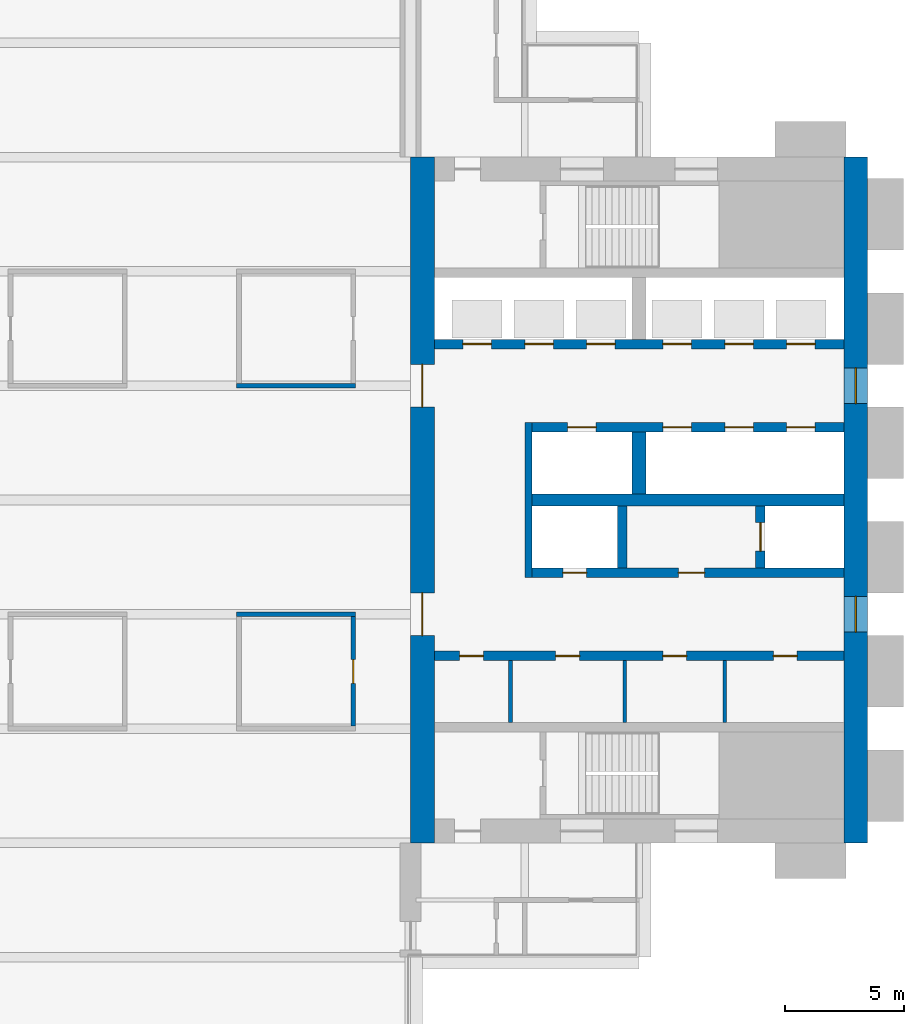
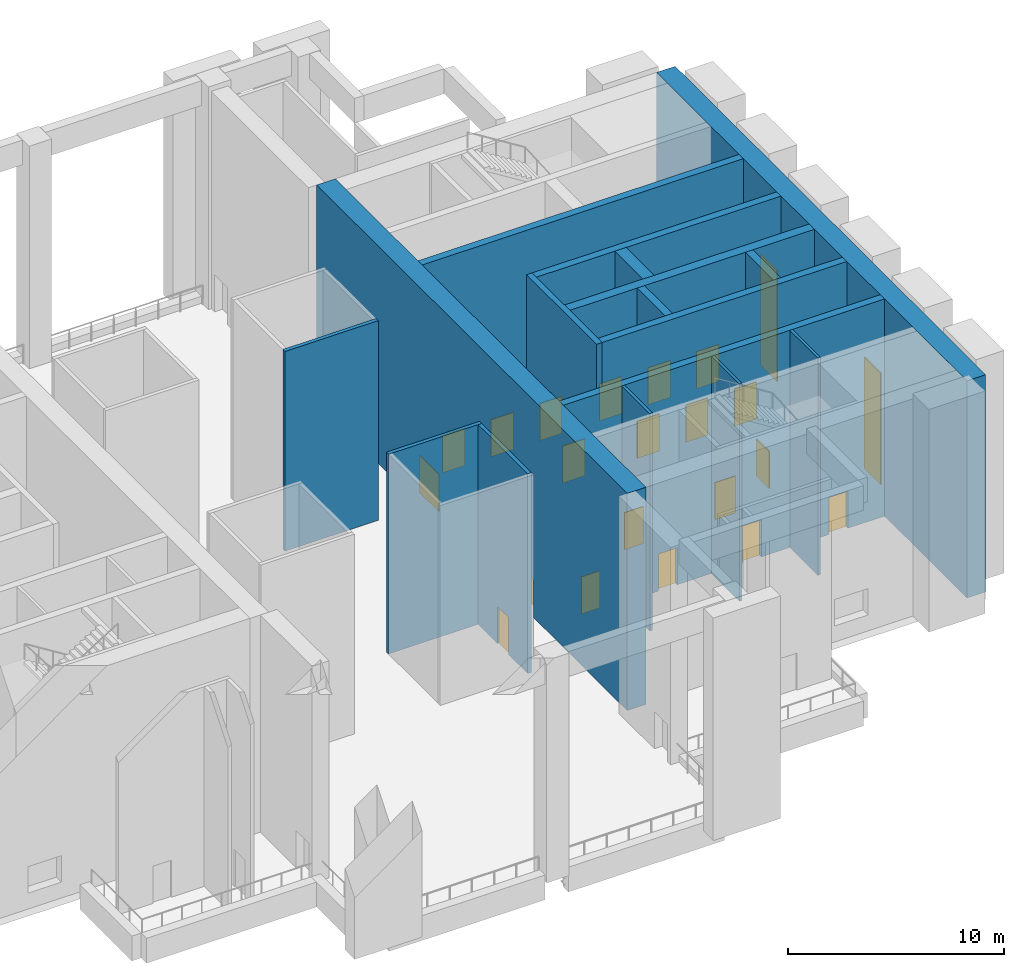
# One storey, part 4 of 9: 20 doors, 17 walls, 2 windows, 22 openings.
"""IFC4 building model written with IfcOpenShell, lengths in metres."""

from ifc_helpers import new_model, si_unit, direction, frame, frame_2d, origin, place, context, subcontext, project, spatial, rectangle, extrude, material, layer, layer_set, type_object, element, fill, save


model = new_model("IFC4")

# Units and contexts
model_context = context("Model", 3, precision=1e-05, world=origin(), true_north=direction((0.0, 1.0)))
body_context = subcontext(model_context, "Body", "Model", "MODEL_VIEW")
ifc_project = project(units=[si_unit("LENGTHUNIT", "METRE"), si_unit("AREAUNIT", "SQUARE_METRE"), si_unit("VOLUMEUNIT", "CUBIC_METRE"), si_unit("PLANEANGLEUNIT", "RADIAN"), si_unit("MASSUNIT", "GRAM", prefix="KILO")], contexts=[model_context])

# Site, building, storey
site_placement = place(None, origin())
site = spatial("IfcSite", under=ifc_project, at=site_placement, CompositionType="ELEMENT")
building_placement = place(site_placement, origin())
building = spatial("IfcBuilding", under=site, at=building_placement, Name="Baori Bourse Tower", CompositionType="ELEMENT")
storey_placement = place(building_placement, frame((0.0, 0.0, 180.60009765625)))
storey = spatial("IfcBuildingStorey", under=building, at=storey_placement, Name="L40", CompositionType="ELEMENT", Elevation=180.60009765625)

# Walls
ifc_material_1 = material(Name="Blockwork partition", Category="masonry")
ifc_layer_1 = layer(ifc_material_1, 0.14990234375)
ifc_layer_set_1 = layer_set([ifc_layer_1], Name="Core partition 150")
wall_type_1 = type_object("IfcWallType", Name="Core partition 150", PredefinedType="PARTITIONING", material=ifc_layer_set_1)
for number, where, z_axis, x_axis, name in (
    (1, (51.60009765625, 14.64990234375, 0.0), (0.0, 0.0, 1.0), (0.0, 1.0, 0.0), "Partition wall E08"),
    (2, (47.39990234375, 14.64990234375, 0.0), (0.0, 0.0, 1.0), (0.0, 1.0, 0.0), "Partition wall E09"),
    (3, (42.60009765625, 14.64990234375, 0.0), (0.0, 0.0, 1.0), (0.0, 1.0, 0.0), "Partition wall E10"),
):
    element("IfcWall", number, at=place(storey_placement, frame(where, z_axis=z_axis, x_axis=x_axis)), inside=storey, type_object=wall_type_1, Name=name, PredefinedType="PARTITIONING", context=body_context, shape_type="SweptSolid", body=[
        extrude(rectangle(XDim=2.60009765625, YDim=0.14990234375, at=frame_2d((1.300048828125, 0.0))), origin(), (0.0, 0.0, 1.0), 12.2998046875),
    ])

# Wall, openings, windows
ifc_material_2 = material(Name="Concrete f'c 60 MPa", Category="concrete")
ifc_layer_2 = layer(ifc_material_2, 1.0)
ifc_layer_set_2 = layer_set([ifc_layer_2], Name="Core wall 1000 f'c 60")
wall_type_2 = type_object("IfcWallType", Name="Core wall 1000 f'c 60", PredefinedType="SHEAR", material=ifc_layer_set_2)
wall_1_placement = place(storey_placement, frame((57.10009765625, 38.39990234375, 0.0), z_axis=(0.0, 0.0, 1.0), x_axis=(0.0, -1.0, 0.0)))
wall_1 = element("IfcWall", 4, at=wall_1_placement, inside=storey, type_object=wall_type_2, Name="Core wall E01", PredefinedType="SHEAR", context=body_context, shape_type="SweptSolid", body=[
    extrude(rectangle(XDim=28.7998046875, YDim=1.0, at=frame_2d((14.39990234375, 0.0))), origin(), (0.0, 0.0, 1.0), 12.2998046875),
])
opening_1_placement = place(wall_1_placement, frame((18.449951171875, 0.0, 0.89990234375)))
opening_1 = element("IfcOpeningElement", 5, at=opening_1_placement, cuts=wall_1, Name="Opening L40-KW201", PredefinedType="OPENING", context=body_context, shape_type="SweptSolid", body=[
    extrude(rectangle(XDim=1.5, YDim=6.300048828125, at=frame_2d((0.75, 3.14990234375))), frame((0.0, 0.510009765625, 0.0), z_axis=(0.0, -1.0, 0.0), x_axis=(1.0, 0.0, 0.0)), (0.0, 0.0, 1.0), 1.02001953125),
])
opening_2_placement = place(wall_1_placement, frame((8.85009765625, 0.0, 0.89990234375)))
opening_2 = element("IfcOpeningElement", 6, at=opening_2_placement, cuts=wall_1, Name="Opening L40-KW202", PredefinedType="OPENING", context=body_context, shape_type="SweptSolid", body=[
    extrude(rectangle(XDim=1.5, YDim=6.300048828125, at=frame_2d((0.75, 3.14990234375))), frame((0.0, 0.510009765625, 0.0), z_axis=(0.0, -1.0, 0.0), x_axis=(1.0, 0.0, 0.0)), (0.0, 0.0, 1.0), 1.02001953125),
])
ifc_material_3 = material(Name="Pale anodised aluminium", Category="aluminium")
window_type = type_object("IfcWindowType", Name="Lobby window 1500 x 6300", PartitioningType="SINGLE_PANEL", PredefinedType="WINDOW", material=ifc_material_3)
window_1_placement = place(opening_1_placement, origin())
window_1 = element("IfcWindow", 7, at=window_1_placement, inside=storey, type_object=window_type, Name="Outer wall window E L40 1", OverallHeight=6.300048828125, OverallWidth=1.5, PartitioningType="SINGLE_PANEL", PredefinedType="WINDOW", context=body_context, shape_type="SweptSolid", body=[
    extrude(rectangle(XDim=1.5, YDim=6.300048828125, at=frame_2d((0.75, 3.14990234375))), frame((0.0, 0.030029296875, 0.0), z_axis=(0.0, -1.0, 0.0), x_axis=(1.0, 0.0, 0.0)), (0.0, 0.0, 1.0), 0.06005859375),
])
fill(opening_1, window_1)
window_2_placement = place(opening_2_placement, origin())
window_2 = element("IfcWindow", 8, at=window_2_placement, inside=storey, type_object=window_type, Name="Outer wall window E L40 2", OverallHeight=6.300048828125, OverallWidth=1.5, PartitioningType="SINGLE_PANEL", PredefinedType="WINDOW", context=body_context, shape_type="SweptSolid", body=[
    extrude(rectangle(XDim=1.5, YDim=6.300048828125, at=frame_2d((0.75, 3.14990234375))), frame((0.0, 0.030029296875, 0.0), z_axis=(0.0, -1.0, 0.0), x_axis=(1.0, 0.0, 0.0)), (0.0, 0.0, 1.0), 0.06005859375),
])
fill(opening_2, window_2)

# Wall, openings, doors
wall_2_placement = place(storey_placement, frame((38.89990234375, 9.60009765625, 0.0), z_axis=(0.0, 0.0, 1.0), x_axis=(0.0, 1.0, 0.0)))
wall_2 = element("IfcWall", 9, at=wall_2_placement, inside=storey, type_object=wall_type_2, Name="Core wall E03", PredefinedType="SHEAR", context=body_context, shape_type="SweptSolid", body=[
    extrude(rectangle(XDim=28.7998046875, YDim=1.0, at=frame_2d((14.39990234375, 0.0))), origin(), (0.0, 0.0, 1.0), 12.2998046875),
])
opening_3_placement = place(wall_2_placement, frame((8.699951171875, 0.0, 0.0)))
opening_3 = element("IfcOpeningElement", 10, at=opening_3_placement, cuts=wall_2, Name="Opening L40-D207", PredefinedType="OPENING", context=body_context, shape_type="SweptSolid", body=[
    extrude(rectangle(XDim=1.800048828125, YDim=2.10009765625, at=frame_2d((0.89990234375, 1.050048828125))), frame((0.0, 0.510009765625, 0.0), z_axis=(0.0, -1.0, 0.0), x_axis=(1.0, 0.0, 0.0)), (0.0, 0.0, 1.0), 1.02001953125),
])
opening_4_placement = place(wall_2_placement, frame((18.300048828125, 0.0, 0.0)))
opening_4 = element("IfcOpeningElement", 11, at=opening_4_placement, cuts=wall_2, Name="Opening L40-D208", PredefinedType="OPENING", context=body_context, shape_type="SweptSolid", body=[
    extrude(rectangle(XDim=1.800048828125, YDim=2.10009765625, at=frame_2d((0.89990234375, 1.050048828125))), frame((0.0, 0.510009765625, 0.0), z_axis=(0.0, -1.0, 0.0), x_axis=(1.0, 0.0, 0.0)), (0.0, 0.0, 1.0), 1.02001953125),
])
ifc_material_4 = material(Name="Painted steel door", Category="steel")
door_type_1 = type_object("IfcDoorType", Name="Core lobby door 1800", OperationType="DOUBLE_DOOR_SINGLE_SWING", PredefinedType="DOOR", material=ifc_material_4)
door_1_placement = place(opening_3_placement, origin())
door_1 = element("IfcDoor", 12, at=door_1_placement, inside=storey, type_object=door_type_1, Name="Lobby door E L40", OperationType="DOUBLE_DOOR_SINGLE_SWING", OverallHeight=2.10009765625, OverallWidth=1.800048828125, PredefinedType="DOOR", context=body_context, shape_type="SweptSolid", body=[
    extrude(rectangle(XDim=1.800048828125, YDim=2.10009765625, at=frame_2d((0.89990234375, 1.050048828125))), frame((0.0, 0.02490234375, 0.0), z_axis=(0.0, -1.0, 0.0), x_axis=(1.0, 0.0, 0.0)), (0.0, 0.0, 1.0), 0.050048828125),
])
fill(opening_3, door_1)
door_2_placement = place(opening_4_placement, origin())
door_2 = element("IfcDoor", 13, at=door_2_placement, inside=storey, type_object=door_type_1, Name="Lobby door E L40", OperationType="DOUBLE_DOOR_SINGLE_SWING", OverallHeight=2.10009765625, OverallWidth=1.800048828125, PredefinedType="DOOR", context=body_context, shape_type="SweptSolid", body=[
    extrude(rectangle(XDim=1.800048828125, YDim=2.10009765625, at=frame_2d((0.89990234375, 1.050048828125))), frame((0.0, 0.02490234375, 0.0), z_axis=(0.0, -1.0, 0.0), x_axis=(1.0, 0.0, 0.0)), (0.0, 0.0, 1.0), 0.050048828125),
])
fill(opening_4, door_2)

# Walls
ifc_material_5 = material(Name="Gypsum board partition")
ifc_layer_3 = layer(ifc_material_5, 0.199951171875)
ifc_layer_set_3 = layer_set([ifc_layer_3], Name="Plant room wall 200")
wall_type_3 = type_object("IfcWallType", Name="Plant room wall 200", PredefinedType="PARTITIONING", material=ifc_layer_set_3)
for number, where, z_axis, x_axis, name in (
    (14, (31.10009765625, 19.199951171875, 0.0), (0.0, 0.0, 1.0), (1.0, 0.0, 0.0), "Partition"),
    (15, (31.10009765625, 28.800048828125, 0.0), (0.0, 0.0, 1.0), (1.0, 0.0, 0.0), "Partition"),
):
    element("IfcWall", number, at=place(storey_placement, frame(where, z_axis=z_axis, x_axis=x_axis)), inside=storey, type_object=wall_type_3, Name=name, PredefinedType="PARTITIONING", context=body_context, shape_type="SweptSolid", body=[
        extrude(rectangle(XDim=5.0, YDim=0.199951171875, at=frame_2d((2.5, 0.0))), origin(), (0.0, 0.0, 1.0), 11.309326171875),
    ])

# Wall, opening, door
wall_3_placement = place(storey_placement, frame((36.0, 14.5, 0.0), z_axis=(0.0, 0.0, 1.0), x_axis=(0.0, 1.0, 0.0)))
wall_3 = element("IfcWall", 16, at=wall_3_placement, inside=storey, type_object=wall_type_3, Name="Partition", PredefinedType="PARTITIONING", context=body_context, shape_type="SweptSolid", body=[
    extrude(rectangle(XDim=4.60009765625, YDim=0.199951171875, at=frame_2d((2.300048828125, 0.0))), origin(), (0.0, 0.0, 1.0), 11.309326171875),
])
opening_5_placement = place(wall_3_placement, frame((1.800048828125, 0.0, 0.0)))
opening_5 = element("IfcOpeningElement", 17, at=opening_5_placement, cuts=wall_3, Name="Opening L40-D09", PredefinedType="OPENING", context=body_context, shape_type="SweptSolid", body=[
    extrude(rectangle(XDim=1.0, YDim=2.10009765625, at=frame_2d((0.5, 1.050048828125))), frame((0.0, 0.10986328125, 0.0), z_axis=(0.0, -1.0, 0.0), x_axis=(1.0, 0.0, 0.0)), (0.0, 0.0, 1.0), 0.219970703125),
])
ifc_material_6 = material(Name="Timber door leaf", Category="wood")
door_type_2 = type_object("IfcDoorType", Name="Door 1000 x 2100", OperationType="SINGLE_SWING_LEFT", PredefinedType="DOOR", material=ifc_material_6)
door_3_placement = place(opening_5_placement, origin())
door_3 = element("IfcDoor", 18, at=door_3_placement, inside=storey, type_object=door_type_2, Name="Door", OperationType="SINGLE_SWING_RIGHT", OverallHeight=2.10009765625, OverallWidth=1.0, PredefinedType="DOOR", context=body_context, shape_type="SweptSolid", body=[
    extrude(rectangle(XDim=1.0, YDim=2.10009765625, at=frame_2d((0.5, 1.050048828125))), frame((0.0, 0.02490234375, 0.0), z_axis=(0.0, -1.0, 0.0), x_axis=(1.0, 0.0, 0.0)), (0.0, 0.0, 1.0), 0.050048828125),
])
fill(opening_5, door_3)

# Wall
ifc_material_7 = material(Name="Concrete f'c 60 MPa", Category="concrete")
ifc_layer_4 = layer(ifc_material_7, 0.300048828125)
ifc_layer_set_4 = layer_set([ifc_layer_4], Name="Shaft wall 300 f'c 60")
wall_type_4 = type_object("IfcWallType", Name="Shaft wall 300 f'c 60", PredefinedType="SHEAR", material=ifc_layer_set_4)
wall_4_placement = place(storey_placement, frame((43.35009765625, 20.75, 0.0), z_axis=(0.0, 0.0, 1.0), x_axis=(0.0, 1.0, 0.0)))
element("IfcWall", 19, at=wall_4_placement, inside=storey, type_object=wall_type_4, Name="Core wall E13", PredefinedType="SHEAR", context=body_context, shape_type="SweptSolid", body=[
    extrude(rectangle(XDim=6.5, YDim=0.300048828125, at=frame_2d((3.25, 0.0))), origin(), (0.0, 0.0, 1.0), 12.2998046875),
])

# Wall, openings, doors
ifc_material_8 = material(Name="Concrete f'c 60 MPa", Category="concrete")
ifc_layer_5 = layer(ifc_material_8, 0.39990234375)
ifc_layer_set_5 = layer_set([ifc_layer_5], Name="Shaft wall 400 f'c 60")
wall_type_5 = type_object("IfcWallType", Name="Shaft wall 400 f'c 60", PredefinedType="SHEAR", material=ifc_layer_set_5)
wall_5_placement = place(storey_placement, frame((39.39990234375, 17.449951171875, 0.0), z_axis=(0.0, 0.0, 1.0), x_axis=(1.0, 0.0, 0.0)))
wall_5 = element("IfcWall", 20, at=wall_5_placement, inside=storey, type_object=wall_type_5, Name="Core wall E11", PredefinedType="SHEAR", context=body_context, shape_type="SweptSolid", body=[
    extrude(rectangle(XDim=17.2001953125, YDim=0.39990234375, at=frame_2d((8.60009765625, 0.0))), origin(), (0.0, 0.0, 1.0), 12.2998046875),
])
opening_6_placement = place(wall_5_placement, frame((14.237548828125, 0.0, 0.0)))
opening_6 = element("IfcOpeningElement", 21, at=opening_6_placement, cuts=wall_5, Name="Opening L40-D209", PredefinedType="OPENING", context=body_context, shape_type="SweptSolid", body=[
    extrude(rectangle(XDim=1.0, YDim=2.10009765625, at=frame_2d((0.5, 1.050048828125))), frame((0.0, 0.2099609375, 0.0), z_axis=(0.0, -1.0, 0.0), x_axis=(1.0, 0.0, 0.0)), (0.0, 0.0, 1.0), 0.419921875),
])
opening_7_placement = place(wall_5_placement, frame((9.60009765625, 0.0, 0.0)))
opening_7 = element("IfcOpeningElement", 22, at=opening_7_placement, cuts=wall_5, Name="Opening L40-D210", PredefinedType="OPENING", context=body_context, shape_type="SweptSolid", body=[
    extrude(rectangle(XDim=1.0, YDim=2.10009765625, at=frame_2d((0.5, 1.050048828125))), frame((0.0, 0.2099609375, 0.0), z_axis=(0.0, -1.0, 0.0), x_axis=(1.0, 0.0, 0.0)), (0.0, 0.0, 1.0), 0.419921875),
])
opening_8_placement = place(wall_5_placement, frame((5.10009765625, 0.0, 0.0)))
opening_8 = element("IfcOpeningElement", 23, at=opening_8_placement, cuts=wall_5, Name="Opening L40-D211", PredefinedType="OPENING", context=body_context, shape_type="SweptSolid", body=[
    extrude(rectangle(XDim=1.0, YDim=2.10009765625, at=frame_2d((0.5, 1.050048828125))), frame((0.0, 0.2099609375, 0.0), z_axis=(0.0, -1.0, 0.0), x_axis=(1.0, 0.0, 0.0)), (0.0, 0.0, 1.0), 0.419921875),
])
opening_9_placement = place(wall_5_placement, frame((1.0625, 0.0, 0.0)))
opening_9 = element("IfcOpeningElement", 24, at=opening_9_placement, cuts=wall_5, Name="Opening L40-D212", PredefinedType="OPENING", context=body_context, shape_type="SweptSolid", body=[
    extrude(rectangle(XDim=1.0, YDim=2.10009765625, at=frame_2d((0.5, 1.050048828125))), frame((0.0, 0.2099609375, 0.0), z_axis=(0.0, -1.0, 0.0), x_axis=(1.0, 0.0, 0.0)), (0.0, 0.0, 1.0), 0.419921875),
])
ifc_material_9 = material(Name="Painted steel door", Category="steel")
door_type_3 = type_object("IfcDoorType", Name="Core door 1000", OperationType="SINGLE_SWING_LEFT", PredefinedType="DOOR", material=ifc_material_9)
door_4_placement = place(opening_6_placement, origin())
door_4 = element("IfcDoor", 25, at=door_4_placement, inside=storey, type_object=door_type_3, Name="Men'S Wc door E L40", OperationType="SINGLE_SWING_LEFT", OverallHeight=2.10009765625, OverallWidth=1.0, PredefinedType="DOOR", context=body_context, shape_type="SweptSolid", body=[
    extrude(rectangle(XDim=1.0, YDim=2.10009765625, at=frame_2d((0.5, 1.050048828125))), frame((0.0, 0.02490234375, 0.0), z_axis=(0.0, -1.0, 0.0), x_axis=(1.0, 0.0, 0.0)), (0.0, 0.0, 1.0), 0.050048828125),
])
fill(opening_6, door_4)
door_5_placement = place(opening_7_placement, origin())
door_5 = element("IfcDoor", 26, at=door_5_placement, inside=storey, type_object=door_type_3, Name="Accessible Wc door E L40", OperationType="SINGLE_SWING_LEFT", OverallHeight=2.10009765625, OverallWidth=1.0, PredefinedType="DOOR", context=body_context, shape_type="SweptSolid", body=[
    extrude(rectangle(XDim=1.0, YDim=2.10009765625, at=frame_2d((0.5, 1.050048828125))), frame((0.0, 0.02490234375, 0.0), z_axis=(0.0, -1.0, 0.0), x_axis=(1.0, 0.0, 0.0)), (0.0, 0.0, 1.0), 0.050048828125),
])
fill(opening_7, door_5)
door_6_placement = place(opening_8_placement, origin())
door_6 = element("IfcDoor", 27, at=door_6_placement, inside=storey, type_object=door_type_3, Name="Women'S Wc door E L40", OperationType="SINGLE_SWING_LEFT", OverallHeight=2.10009765625, OverallWidth=1.0, PredefinedType="DOOR", context=body_context, shape_type="SweptSolid", body=[
    extrude(rectangle(XDim=1.0, YDim=2.10009765625, at=frame_2d((0.5, 1.050048828125))), frame((0.0, 0.02490234375, 0.0), z_axis=(0.0, -1.0, 0.0), x_axis=(1.0, 0.0, 0.0)), (0.0, 0.0, 1.0), 0.050048828125),
])
fill(opening_8, door_6)
ifc_material_10 = material(Name="Painted steel door", Category="steel")
door_type_4 = type_object("IfcDoorType", Name="Plant room door 1000", OperationType="SINGLE_SWING_LEFT", PredefinedType="DOOR", material=ifc_material_10)
door_7_placement = place(opening_9_placement, origin())
door_7 = element("IfcDoor", 28, at=door_7_placement, inside=storey, type_object=door_type_4, Name="Plumbing Equipment Room door E L40", OperationType="SINGLE_SWING_LEFT", OverallHeight=2.10009765625, OverallWidth=1.0, PredefinedType="DOOR", context=body_context, shape_type="SweptSolid", body=[
    extrude(rectangle(XDim=1.0, YDim=2.10009765625, at=frame_2d((0.5, 1.050048828125))), frame((0.0, 0.02490234375, 0.0), z_axis=(0.0, -1.0, 0.0), x_axis=(1.0, 0.0, 0.0)), (0.0, 0.0, 1.0), 0.050048828125),
])
fill(opening_9, door_7)

wall_6_placement = place(storey_placement, frame((43.5, 20.949951171875, 0.0), z_axis=(0.0, 0.0, 1.0), x_axis=(1.0, 0.0, 0.0)))
wall_6 = element("IfcWall", 29, at=wall_6_placement, inside=storey, type_object=wall_type_5, Name="Core wall E12", PredefinedType="SHEAR", context=body_context, shape_type="SweptSolid", body=[
    extrude(rectangle(XDim=13.10009765625, YDim=0.39990234375, at=frame_2d((6.550048828125, 0.0))), origin(), (0.0, 0.0, 1.0), 12.2998046875),
])
opening_10_placement = place(wall_6_placement, frame((6.14990234375, 0.0, 0.0)))
opening_10 = element("IfcOpeningElement", 30, at=opening_10_placement, cuts=wall_6, Name="Opening L40-D205", PredefinedType="OPENING", context=body_context, shape_type="SweptSolid", body=[
    extrude(rectangle(XDim=1.10009765625, YDim=2.10009765625, at=frame_2d((0.550048828125, 1.050048828125))), frame((0.0, 0.2099609375, 0.0), z_axis=(0.0, -1.0, 0.0), x_axis=(1.0, 0.0, 0.0)), (0.0, 0.0, 1.0), 0.419921875),
])
opening_11_placement = place(wall_6_placement, frame((1.300048828125, 0.0, 0.0)))
opening_11 = element("IfcOpeningElement", 31, at=opening_11_placement, cuts=wall_6, Name="Opening L40-D206", PredefinedType="OPENING", context=body_context, shape_type="SweptSolid", body=[
    extrude(rectangle(XDim=1.0, YDim=2.10009765625, at=frame_2d((0.5, 1.050048828125))), frame((0.0, 0.2099609375, 0.0), z_axis=(0.0, -1.0, 0.0), x_axis=(1.0, 0.0, 0.0)), (0.0, 0.0, 1.0), 0.419921875),
])
ifc_material_11 = material(Name="Painted steel door", Category="steel")
door_type_5 = type_object("IfcDoorType", Name="Lobby door 1100", OperationType="SINGLE_SWING_LEFT", PredefinedType="DOOR", material=ifc_material_11)
door_8_placement = place(opening_10_placement, origin())
door_8 = element("IfcDoor", 32, at=door_8_placement, inside=storey, type_object=door_type_5, Name="Firefighting lobby door E L40", OperationType="SINGLE_SWING_LEFT", OverallHeight=2.10009765625, OverallWidth=1.10009765625, PredefinedType="DOOR", context=body_context, shape_type="SweptSolid", body=[
    extrude(rectangle(XDim=1.10009765625, YDim=2.10009765625, at=frame_2d((0.550048828125, 1.050048828125))), frame((0.0, 0.02490234375, 0.0), z_axis=(0.0, -1.0, 0.0), x_axis=(1.0, 0.0, 0.0)), (0.0, 0.0, 1.0), 0.050048828125),
])
fill(opening_10, door_8)
ifc_material_12 = material(Name="Painted steel door", Category="steel")
door_type_6 = type_object("IfcDoorType", Name="Shaft door 1000", OperationType="SINGLE_SWING_LEFT", PredefinedType="DOOR", material=ifc_material_12)
door_9_placement = place(opening_11_placement, origin())
door_9 = element("IfcDoor", 33, at=door_9_placement, inside=storey, type_object=door_type_6, Name="Riser room door E L40", OperationType="SINGLE_SWING_LEFT", OverallHeight=2.10009765625, OverallWidth=1.0, PredefinedType="DOOR", context=body_context, shape_type="SweptSolid", body=[
    extrude(rectangle(XDim=1.0, YDim=2.10009765625, at=frame_2d((0.5, 1.050048828125))), frame((0.0, 0.02490234375, 0.0), z_axis=(0.0, -1.0, 0.0), x_axis=(1.0, 0.0, 0.0)), (0.0, 0.0, 1.0), 0.050048828125),
])
fill(opening_11, door_9)

# Wall, opening, door
wall_7_placement = place(storey_placement, frame((53.10009765625, 21.14990234375, 0.0), z_axis=(0.0, 0.0, 1.0), x_axis=(0.0, 1.0, 0.0)))
wall_7 = element("IfcWall", 34, at=wall_7_placement, inside=storey, type_object=wall_type_5, Name="Core wall E14", PredefinedType="SHEAR", context=body_context, shape_type="SweptSolid", body=[
    extrude(rectangle(XDim=2.60009765625, YDim=0.39990234375, at=frame_2d((1.300048828125, 0.0))), origin(), (0.0, 0.0, 1.0), 12.2998046875),
])
opening_12_placement = place(wall_7_placement, frame((0.699951171875, 0.0, 0.0)))
opening_12 = element("IfcOpeningElement", 35, at=opening_12_placement, cuts=wall_7, Name="Opening L40-D223", PredefinedType="OPENING", context=body_context, shape_type="SweptSolid", body=[
    extrude(rectangle(XDim=1.199951171875, YDim=2.10009765625, at=frame_2d((0.60009765625, 1.050048828125))), frame((0.0, 0.2099609375, 0.0), z_axis=(0.0, -1.0, 0.0), x_axis=(1.0, 0.0, 0.0)), (0.0, 0.0, 1.0), 0.419921875),
])
ifc_material_13 = material(Name="Stainless steel door", Category="steel")
door_type_7 = type_object("IfcDoorType", Name="Lift landing door", OperationType="DOUBLE_DOOR_SLIDING", PredefinedType="DOOR", material=ifc_material_13)
door_10_placement = place(opening_12_placement, origin())
door_10 = element("IfcDoor", 36, at=door_10_placement, inside=storey, type_object=door_type_7, Name="Lift landing door FF2 E L40", OperationType="DOUBLE_DOOR_SLIDING", OverallHeight=2.10009765625, OverallWidth=1.199951171875, PredefinedType="DOOR", context=body_context, shape_type="SweptSolid", body=[
    extrude(rectangle(XDim=1.199951171875, YDim=2.10009765625, at=frame_2d((0.60009765625, 1.050048828125))), frame((0.0, 0.02490234375, 0.0), z_axis=(0.0, -1.0, 0.0), x_axis=(1.0, 0.0, 0.0)), (0.0, 0.0, 1.0), 0.050048828125),
])
fill(opening_12, door_10)

# Wall
wall_8_placement = place(storey_placement, frame((47.300048828125, 21.14990234375, 0.0), z_axis=(0.0, 0.0, 1.0), x_axis=(0.0, 1.0, 0.0)))
element("IfcWall", 37, at=wall_8_placement, inside=storey, type_object=wall_type_5, Name="Core wall E15", PredefinedType="SHEAR", context=body_context, shape_type="SweptSolid", body=[
    extrude(rectangle(XDim=2.60009765625, YDim=0.39990234375, at=frame_2d((1.300048828125, 0.0))), origin(), (0.0, 0.0, 1.0), 12.2998046875),
])

# Wall, openings, doors
wall_9_placement = place(storey_placement, frame((43.5, 27.050048828125, 0.0), z_axis=(0.0, 0.0, 1.0), x_axis=(1.0, 0.0, 0.0)))
wall_9 = element("IfcWall", 38, at=wall_9_placement, inside=storey, type_object=wall_type_5, Name="Core wall E18", PredefinedType="SHEAR", context=body_context, shape_type="SweptSolid", body=[
    extrude(rectangle(XDim=13.10009765625, YDim=0.39990234375, at=frame_2d((6.550048828125, 0.0))), origin(), (0.0, 0.0, 1.0), 12.2998046875),
])
opening_13_placement = place(wall_9_placement, frame((10.699951171875, 0.0, 0.0)))
opening_13 = element("IfcOpeningElement", 39, at=opening_13_placement, cuts=wall_9, Name="Opening L40-D219", PredefinedType="OPENING", context=body_context, shape_type="SweptSolid", body=[
    extrude(rectangle(XDim=1.199951171875, YDim=2.10009765625, at=frame_2d((0.60009765625, 1.050048828125))), frame((0.0, 0.2099609375, 0.0), z_axis=(0.0, -1.0, 0.0), x_axis=(1.0, 0.0, 0.0)), (0.0, 0.0, 1.0), 0.419921875),
])
opening_14_placement = place(wall_9_placement, frame((8.10009765625, 0.0, 0.0)))
opening_14 = element("IfcOpeningElement", 40, at=opening_14_placement, cuts=wall_9, Name="Opening L40-D220", PredefinedType="OPENING", context=body_context, shape_type="SweptSolid", body=[
    extrude(rectangle(XDim=1.199951171875, YDim=2.10009765625, at=frame_2d((0.60009765625, 1.050048828125))), frame((0.0, 0.2099609375, 0.0), z_axis=(0.0, -1.0, 0.0), x_axis=(1.0, 0.0, 0.0)), (0.0, 0.0, 1.0), 0.419921875),
])
opening_15_placement = place(wall_9_placement, frame((5.5, 0.0, 0.0)))
opening_15 = element("IfcOpeningElement", 41, at=opening_15_placement, cuts=wall_9, Name="Opening L40-D221", PredefinedType="OPENING", context=body_context, shape_type="SweptSolid", body=[
    extrude(rectangle(XDim=1.199951171875, YDim=2.10009765625, at=frame_2d((0.60009765625, 1.050048828125))), frame((0.0, 0.2099609375, 0.0), z_axis=(0.0, -1.0, 0.0), x_axis=(1.0, 0.0, 0.0)), (0.0, 0.0, 1.0), 0.419921875),
])
opening_16_placement = place(wall_9_placement, frame((1.5, 0.0, 0.0)))
opening_16 = element("IfcOpeningElement", 42, at=opening_16_placement, cuts=wall_9, Name="Opening L40-D222", PredefinedType="OPENING", context=body_context, shape_type="SweptSolid", body=[
    extrude(rectangle(XDim=1.199951171875, YDim=2.10009765625, at=frame_2d((0.60009765625, 1.050048828125))), frame((0.0, 0.2099609375, 0.0), z_axis=(0.0, -1.0, 0.0), x_axis=(1.0, 0.0, 0.0)), (0.0, 0.0, 1.0), 0.419921875),
])
door_11_placement = place(opening_13_placement, origin())
door_11 = element("IfcDoor", 43, at=door_11_placement, inside=storey, type_object=door_type_7, Name="Lift landing door SH1 E L40", OperationType="DOUBLE_DOOR_SLIDING", OverallHeight=2.10009765625, OverallWidth=1.199951171875, PredefinedType="DOOR", context=body_context, shape_type="SweptSolid", body=[
    extrude(rectangle(XDim=1.199951171875, YDim=2.10009765625, at=frame_2d((0.60009765625, 1.050048828125))), frame((0.0, 0.02490234375, 0.0), z_axis=(0.0, -1.0, 0.0), x_axis=(1.0, 0.0, 0.0)), (0.0, 0.0, 1.0), 0.050048828125),
])
fill(opening_13, door_11)
door_12_placement = place(opening_14_placement, origin())
door_12 = element("IfcDoor", 44, at=door_12_placement, inside=storey, type_object=door_type_7, Name="Lift landing door SH2 E L40", OperationType="DOUBLE_DOOR_SLIDING", OverallHeight=2.10009765625, OverallWidth=1.199951171875, PredefinedType="DOOR", context=body_context, shape_type="SweptSolid", body=[
    extrude(rectangle(XDim=1.199951171875, YDim=2.10009765625, at=frame_2d((0.60009765625, 1.050048828125))), frame((0.0, 0.02490234375, 0.0), z_axis=(0.0, -1.0, 0.0), x_axis=(1.0, 0.0, 0.0)), (0.0, 0.0, 1.0), 0.050048828125),
])
fill(opening_14, door_12)
door_13_placement = place(opening_15_placement, origin())
door_13 = element("IfcDoor", 45, at=door_13_placement, inside=storey, type_object=door_type_7, Name="Lift landing door SH3 E L40", OperationType="DOUBLE_DOOR_SLIDING", OverallHeight=2.10009765625, OverallWidth=1.199951171875, PredefinedType="DOOR", context=body_context, shape_type="SweptSolid", body=[
    extrude(rectangle(XDim=1.199951171875, YDim=2.10009765625, at=frame_2d((0.60009765625, 1.050048828125))), frame((0.0, 0.02490234375, 0.0), z_axis=(0.0, -1.0, 0.0), x_axis=(1.0, 0.0, 0.0)), (0.0, 0.0, 1.0), 0.050048828125),
])
fill(opening_15, door_13)
door_14_placement = place(opening_16_placement, origin())
door_14 = element("IfcDoor", 46, at=door_14_placement, inside=storey, type_object=door_type_7, Name="Lift landing door SV1 E L40", OperationType="DOUBLE_DOOR_SLIDING", OverallHeight=2.10009765625, OverallWidth=1.199951171875, PredefinedType="DOOR", context=body_context, shape_type="SweptSolid", body=[
    extrude(rectangle(XDim=1.199951171875, YDim=2.10009765625, at=frame_2d((0.60009765625, 1.050048828125))), frame((0.0, 0.02490234375, 0.0), z_axis=(0.0, -1.0, 0.0), x_axis=(1.0, 0.0, 0.0)), (0.0, 0.0, 1.0), 0.050048828125),
])
fill(opening_16, door_14)

wall_10_placement = place(storey_placement, frame((39.39990234375, 30.550048828125, 0.0), z_axis=(0.0, 0.0, 1.0), x_axis=(1.0, 0.0, 0.0)))
wall_10 = element("IfcWall", 47, at=wall_10_placement, inside=storey, type_object=wall_type_5, Name="Core wall E19", PredefinedType="SHEAR", context=body_context, shape_type="SweptSolid", body=[
    extrude(rectangle(XDim=17.2001953125, YDim=0.39990234375, at=frame_2d((8.60009765625, 0.0))), origin(), (0.0, 0.0, 1.0), 12.2998046875),
])
opening_17_placement = place(wall_10_placement, frame((14.800048828125, 0.0, 0.0)))
opening_17 = element("IfcOpeningElement", 48, at=opening_17_placement, cuts=wall_10, Name="Opening L40-D213", PredefinedType="OPENING", context=body_context, shape_type="SweptSolid", body=[
    extrude(rectangle(XDim=1.199951171875, YDim=2.10009765625, at=frame_2d((0.60009765625, 1.050048828125))), frame((0.0, 0.2099609375, 0.0), z_axis=(0.0, -1.0, 0.0), x_axis=(1.0, 0.0, 0.0)), (0.0, 0.0, 1.0), 0.419921875),
])
opening_18_placement = place(wall_10_placement, frame((12.199951171875, 0.0, 0.0)))
opening_18 = element("IfcOpeningElement", 49, at=opening_18_placement, cuts=wall_10, Name="Opening L40-D214", PredefinedType="OPENING", context=body_context, shape_type="SweptSolid", body=[
    extrude(rectangle(XDim=1.199951171875, YDim=2.10009765625, at=frame_2d((0.60009765625, 1.050048828125))), frame((0.0, 0.2099609375, 0.0), z_axis=(0.0, -1.0, 0.0), x_axis=(1.0, 0.0, 0.0)), (0.0, 0.0, 1.0), 0.419921875),
])
opening_19_placement = place(wall_10_placement, frame((9.60009765625, 0.0, 0.0)))
opening_19 = element("IfcOpeningElement", 50, at=opening_19_placement, cuts=wall_10, Name="Opening L40-D215", PredefinedType="OPENING", context=body_context, shape_type="SweptSolid", body=[
    extrude(rectangle(XDim=1.199951171875, YDim=2.10009765625, at=frame_2d((0.60009765625, 1.050048828125))), frame((0.0, 0.2099609375, 0.0), z_axis=(0.0, -1.0, 0.0), x_axis=(1.0, 0.0, 0.0)), (0.0, 0.0, 1.0), 0.419921875),
])
opening_20_placement = place(wall_10_placement, frame((6.39990234375, 0.0, 0.0)))
opening_20 = element("IfcOpeningElement", 51, at=opening_20_placement, cuts=wall_10, Name="Opening L40-D216", PredefinedType="OPENING", context=body_context, shape_type="SweptSolid", body=[
    extrude(rectangle(XDim=1.199951171875, YDim=2.10009765625, at=frame_2d((0.60009765625, 1.050048828125))), frame((0.0, 0.2099609375, 0.0), z_axis=(0.0, -1.0, 0.0), x_axis=(1.0, 0.0, 0.0)), (0.0, 0.0, 1.0), 0.419921875),
])
opening_21_placement = place(wall_10_placement, frame((3.800048828125, 0.0, 0.0)))
opening_21 = element("IfcOpeningElement", 52, at=opening_21_placement, cuts=wall_10, Name="Opening L40-D217", PredefinedType="OPENING", context=body_context, shape_type="SweptSolid", body=[
    extrude(rectangle(XDim=1.199951171875, YDim=2.10009765625, at=frame_2d((0.60009765625, 1.050048828125))), frame((0.0, 0.2099609375, 0.0), z_axis=(0.0, -1.0, 0.0), x_axis=(1.0, 0.0, 0.0)), (0.0, 0.0, 1.0), 0.419921875),
])
opening_22_placement = place(wall_10_placement, frame((1.199951171875, 0.0, 0.0)))
opening_22 = element("IfcOpeningElement", 53, at=opening_22_placement, cuts=wall_10, Name="Opening L40-D218", PredefinedType="OPENING", context=body_context, shape_type="SweptSolid", body=[
    extrude(rectangle(XDim=1.199951171875, YDim=2.10009765625, at=frame_2d((0.60009765625, 1.050048828125))), frame((0.0, 0.2099609375, 0.0), z_axis=(0.0, -1.0, 0.0), x_axis=(1.0, 0.0, 0.0)), (0.0, 0.0, 1.0), 0.419921875),
])
door_15_placement = place(opening_17_placement, origin())
door_15 = element("IfcDoor", 54, at=door_15_placement, inside=storey, type_object=door_type_7, Name="Lift landing door HR1 E L40", OperationType="DOUBLE_DOOR_SLIDING", OverallHeight=2.10009765625, OverallWidth=1.199951171875, PredefinedType="DOOR", context=body_context, shape_type="SweptSolid", body=[
    extrude(rectangle(XDim=1.199951171875, YDim=2.10009765625, at=frame_2d((0.60009765625, 1.050048828125))), frame((0.0, 0.02490234375, 0.0), z_axis=(0.0, -1.0, 0.0), x_axis=(1.0, 0.0, 0.0)), (0.0, 0.0, 1.0), 0.050048828125),
])
fill(opening_17, door_15)
door_16_placement = place(opening_18_placement, origin())
door_16 = element("IfcDoor", 55, at=door_16_placement, inside=storey, type_object=door_type_7, Name="Lift landing door HR2 E L40", OperationType="DOUBLE_DOOR_SLIDING", OverallHeight=2.10009765625, OverallWidth=1.199951171875, PredefinedType="DOOR", context=body_context, shape_type="SweptSolid", body=[
    extrude(rectangle(XDim=1.199951171875, YDim=2.10009765625, at=frame_2d((0.60009765625, 1.050048828125))), frame((0.0, 0.02490234375, 0.0), z_axis=(0.0, -1.0, 0.0), x_axis=(1.0, 0.0, 0.0)), (0.0, 0.0, 1.0), 0.050048828125),
])
fill(opening_18, door_16)
door_17_placement = place(opening_19_placement, origin())
door_17 = element("IfcDoor", 56, at=door_17_placement, inside=storey, type_object=door_type_7, Name="Lift landing door HR3 E L40", OperationType="DOUBLE_DOOR_SLIDING", OverallHeight=2.10009765625, OverallWidth=1.199951171875, PredefinedType="DOOR", context=body_context, shape_type="SweptSolid", body=[
    extrude(rectangle(XDim=1.199951171875, YDim=2.10009765625, at=frame_2d((0.60009765625, 1.050048828125))), frame((0.0, 0.02490234375, 0.0), z_axis=(0.0, -1.0, 0.0), x_axis=(1.0, 0.0, 0.0)), (0.0, 0.0, 1.0), 0.050048828125),
])
fill(opening_19, door_17)
door_18_placement = place(opening_20_placement, origin())
door_18 = element("IfcDoor", 57, at=door_18_placement, inside=storey, type_object=door_type_7, Name="Lift landing door HR4 E L40", OperationType="DOUBLE_DOOR_SLIDING", OverallHeight=2.10009765625, OverallWidth=1.199951171875, PredefinedType="DOOR", context=body_context, shape_type="SweptSolid", body=[
    extrude(rectangle(XDim=1.199951171875, YDim=2.10009765625, at=frame_2d((0.60009765625, 1.050048828125))), frame((0.0, 0.02490234375, 0.0), z_axis=(0.0, -1.0, 0.0), x_axis=(1.0, 0.0, 0.0)), (0.0, 0.0, 1.0), 0.050048828125),
])
fill(opening_20, door_18)
door_19_placement = place(opening_21_placement, origin())
door_19 = element("IfcDoor", 58, at=door_19_placement, inside=storey, type_object=door_type_7, Name="Lift landing door HR5 E L40", OperationType="DOUBLE_DOOR_SLIDING", OverallHeight=2.10009765625, OverallWidth=1.199951171875, PredefinedType="DOOR", context=body_context, shape_type="SweptSolid", body=[
    extrude(rectangle(XDim=1.199951171875, YDim=2.10009765625, at=frame_2d((0.60009765625, 1.050048828125))), frame((0.0, 0.02490234375, 0.0), z_axis=(0.0, -1.0, 0.0), x_axis=(1.0, 0.0, 0.0)), (0.0, 0.0, 1.0), 0.050048828125),
])
fill(opening_21, door_19)
door_20_placement = place(opening_22_placement, origin())
door_20 = element("IfcDoor", 59, at=door_20_placement, inside=storey, type_object=door_type_7, Name="Lift landing door HR6 E L40", OperationType="DOUBLE_DOOR_SLIDING", OverallHeight=2.10009765625, OverallWidth=1.199951171875, PredefinedType="DOOR", context=body_context, shape_type="SweptSolid", body=[
    extrude(rectangle(XDim=1.199951171875, YDim=2.10009765625, at=frame_2d((0.60009765625, 1.050048828125))), frame((0.0, 0.02490234375, 0.0), z_axis=(0.0, -1.0, 0.0), x_axis=(1.0, 0.0, 0.0)), (0.0, 0.0, 1.0), 0.050048828125),
])
fill(opening_22, door_20)

# Walls
ifc_material_14 = material(Name="Concrete f'c 60 MPa", Category="concrete")
ifc_layer_6 = layer(ifc_material_14, 0.5)
ifc_layer_set_6 = layer_set([ifc_layer_6], Name="Shaft wall 500 f'c 60")
wall_type_6 = type_object("IfcWallType", Name="Shaft wall 500 f'c 60", PredefinedType="SHEAR", material=ifc_layer_set_6)
wall_11_placement = place(storey_placement, frame((43.5, 24.0, 0.0), z_axis=(0.0, 0.0, 1.0), x_axis=(1.0, 0.0, 0.0)))
element("IfcWall", 60, at=wall_11_placement, inside=storey, type_object=wall_type_6, Name="Core wall E16", PredefinedType="SHEAR", context=body_context, shape_type="SweptSolid", body=[
    extrude(rectangle(XDim=13.10009765625, YDim=0.5, at=frame_2d((6.550048828125, 0.0))), origin(), (0.0, 0.0, 1.0), 12.2998046875),
])
ifc_material_15 = material(Name="Concrete f'c 60 MPa", Category="concrete")
ifc_layer_7 = layer(ifc_material_15, 0.60009765625)
ifc_layer_set_7 = layer_set([ifc_layer_7], Name="Shaft wall 600 f'c 60")
wall_type_7 = type_object("IfcWallType", Name="Shaft wall 600 f'c 60", PredefinedType="SHEAR", material=ifc_layer_set_7)
wall_12_placement = place(storey_placement, frame((48.0, 24.25, 0.0), z_axis=(0.0, 0.0, 1.0), x_axis=(0.0, 1.0, 0.0)))
element("IfcWall", 61, at=wall_12_placement, inside=storey, type_object=wall_type_7, Name="Core wall E17", PredefinedType="SHEAR", context=body_context, shape_type="SweptSolid", body=[
    extrude(rectangle(XDim=2.60009765625, YDim=0.60009765625, at=frame_2d((1.300048828125, 0.0))), origin(), (0.0, 0.0, 1.0), 12.2998046875),
])

save(model, "model.ifc")
